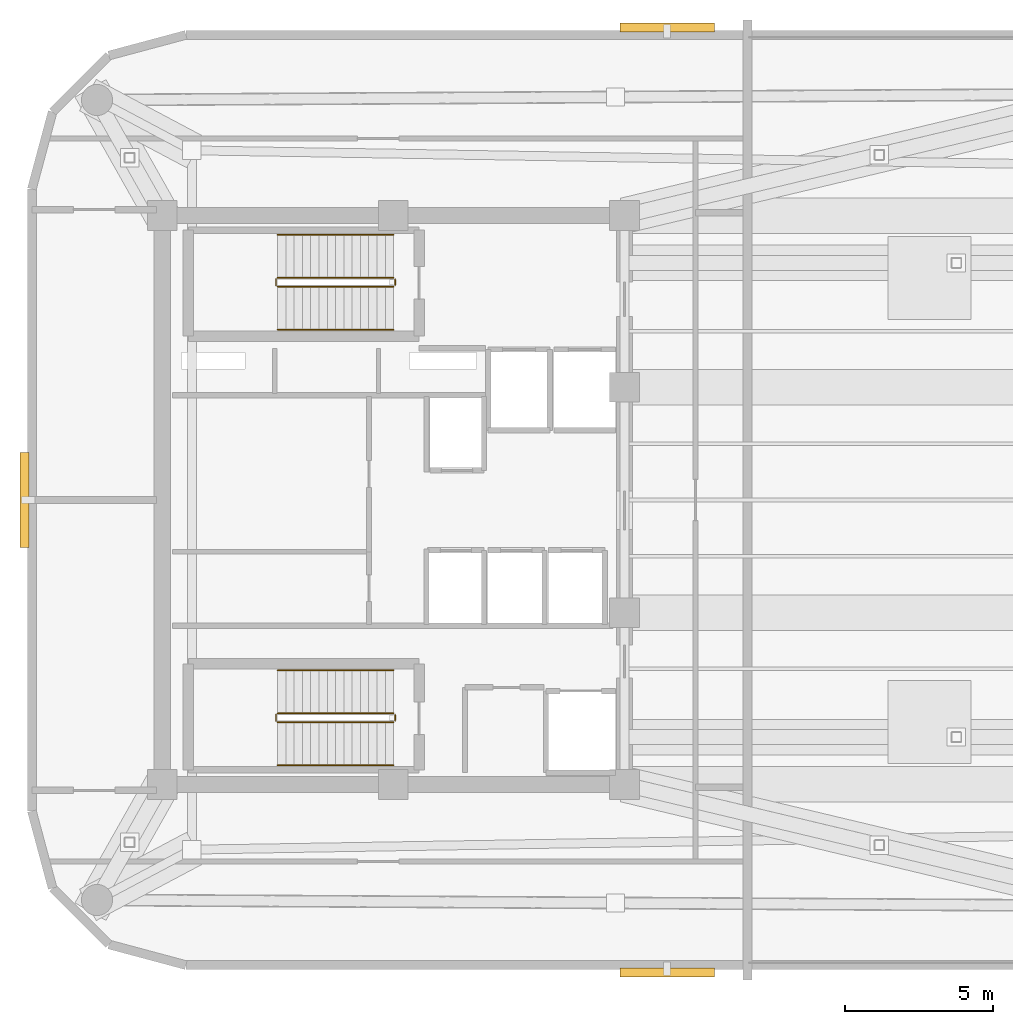
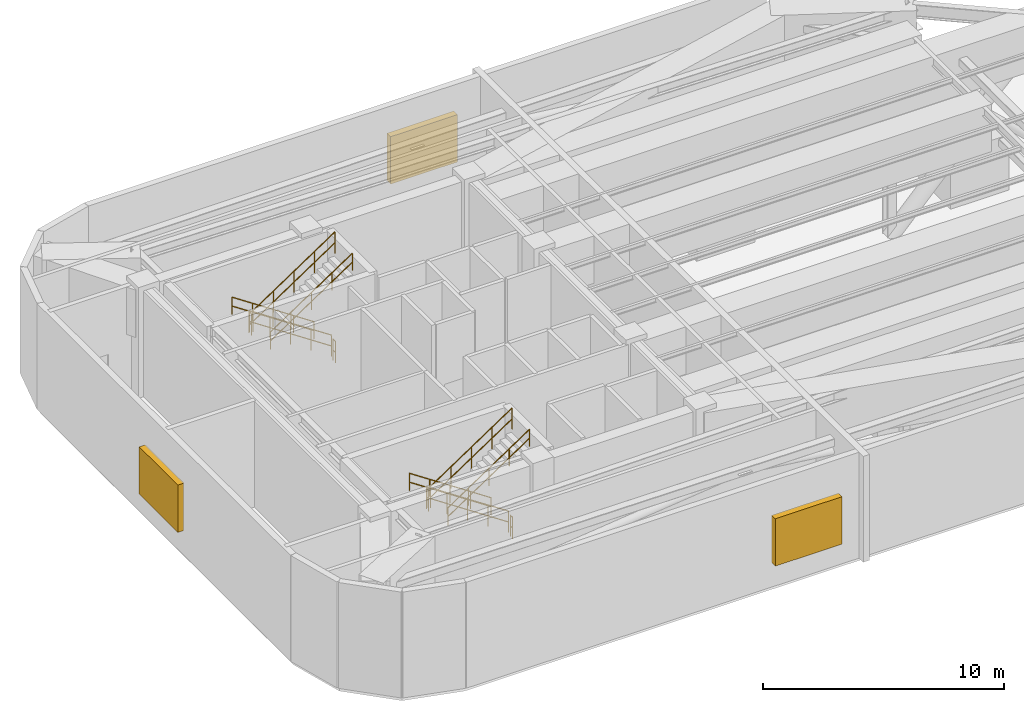
# One storey, part 5 of 6: 12 railings, 3 shading devices.
"""IFC4 building model written with IfcOpenShell, lengths in metres."""

from ifc_helpers import new_model, si_unit, direction, frame, origin, origin_2d, place, context, subcontext, project, spatial, rectangle, circle, extrude, material, type_object, element, save


model = new_model("IFC4")

# Units and contexts
model_context = context("Model", 3, precision=1e-05, world=origin(), true_north=direction((0.0, 1.0)))
body_context = subcontext(model_context, "Body", "Model", "MODEL_VIEW")
ifc_project = project(units=[si_unit("LENGTHUNIT", "METRE"), si_unit("AREAUNIT", "SQUARE_METRE"), si_unit("VOLUMEUNIT", "CUBIC_METRE"), si_unit("PLANEANGLEUNIT", "RADIAN"), si_unit("MASSUNIT", "GRAM", prefix="KILO")], contexts=[model_context])

# Site, building, storey
site_placement = place(None, origin())
site = spatial("IfcSite", under=ifc_project, at=site_placement, CompositionType="ELEMENT")
building_placement = place(site_placement, origin())
building = spatial("IfcBuilding", under=site, at=building_placement, Name="An Khanh Terracotta Commons", CompositionType="ELEMENT")
storey_placement = place(building_placement, frame((0.0, 0.0, 248.10009765625)))
storey = spatial("IfcBuildingStorey", under=building, at=storey_placement, Name="L65", CompositionType="ELEMENT", Elevation=248.10009765625)

# Shading devices
ifc_material_1 = material(Name="Anodised Aluminium 6063-T6", Category="aluminium")
shading_device_type = type_object("IfcShadingDeviceType", Name="Acoustic Plant Weather Louvre", PredefinedType="USERDEFINED", material=ifc_material_1)
for number, where, z_axis, x_axis, name in (
    (1, (38.64208984375, 8.050048828125, 1.199951171875), (0.0, 0.0, 1.0), (1.0, 0.0, 0.0), "L65 Refuge Acoustic Louvre 4"),
    (2, (38.64208984375, 39.949951171875, 1.199951171875), (0.0, 0.0, 1.0), (-1.0, 0.0, 0.0), "L65 Refuge Acoustic Louvre 20"),
    (3, (16.949951171875, 24.0, 1.199951171875), (0.0, 0.0, 1.0), (0.0, -1.0, 0.0), "L65 Refuge Acoustic Louvre 24"),
):
    element("IfcShadingDevice", number, at=place(storey_placement, frame(where, z_axis=z_axis, x_axis=x_axis)), inside=storey, type_object=shading_device_type, Name=name, ObjectType="LOUVRE", PredefinedType="USERDEFINED", context=body_context, shape_type="SweptSolid", body=[
        extrude(rectangle(XDim=3.199951171875, YDim=0.300048828125, at=origin_2d()), origin(), (0.0, 0.0, 1.0), 2.39990234375),
    ])

# Railings
ifc_material_2 = material(Name="Brushed Stainless Steel 316", Category="steel")
railing_type_1 = type_object("IfcRailingType", Name="RAIL-HANDRAIL-900", PredefinedType="HANDRAIL", material=ifc_material_2)
railing_1_placement = place(storey_placement, frame((29.409912109375, 32.949951171875, 0.1865234375)))
element("IfcRailing", 4, at=railing_1_placement, inside=storey, type_object=railing_type_1, Name="L65 ST-01 stair handrail 1", PredefinedType="HANDRAIL", context=body_context, shape_type="SweptSolid", body=[
    extrude(circle(Radius=0.02392578125, at=origin_2d()), frame((0.0, 0.0, 0.8759765625), z_axis=(-0.832050294338, 0.0, 0.554700196225), x_axis=(0.0, -1.0, 0.0)), (0.0, 0.0, 1.0), 4.711181640625),
    extrude(circle(Radius=0.02392578125, at=origin_2d()), frame((0.0, 0.0, 0.42578125), z_axis=(-0.832050294338, 0.0, 0.554700196225), x_axis=(0.0, -1.0, 0.0)), (0.0, 0.0, 1.0), 4.711181640625),
    extrude(circle(Radius=0.02099609375, at=origin_2d()), origin(), (0.0, 0.0, 1.0), 0.851806640625),
    extrude(circle(Radius=0.02099609375, at=origin_2d()), frame((-0.97998046875, 0.0, 0.6533203125)), (0.0, 0.0, 1.0), 0.851806640625),
    extrude(circle(Radius=0.02099609375, at=origin_2d()), frame((-1.9599609375, 0.0, 1.306640625)), (0.0, 0.0, 1.0), 0.851806640625),
    extrude(circle(Radius=0.02099609375, at=origin_2d()), frame((-2.93994140625, 0.0, 1.9599609375)), (0.0, 0.0, 1.0), 0.851806640625),
    extrude(circle(Radius=0.02099609375, at=origin_2d()), frame((-3.919921875, 0.0, 2.61328125)), (0.0, 0.0, 1.0), 0.851806640625),
])
railing_2_placement = place(storey_placement, frame((25.489990234375, 29.75, 2.986572265625)))
element("IfcRailing", 5, at=railing_2_placement, inside=storey, type_object=railing_type_1, Name="L65 ST-01 stair handrail 2", PredefinedType="HANDRAIL", context=body_context, shape_type="SweptSolid", body=[
    extrude(circle(Radius=0.02392578125, at=origin_2d()), frame((0.0, 0.0, 0.8759765625), z_axis=(0.832050294338, 0.0, 0.554700196225), x_axis=(0.0, 1.0, 0.0)), (0.0, 0.0, 1.0), 4.711181640625),
    extrude(circle(Radius=0.02392578125, at=origin_2d()), frame((0.0, 0.0, 0.42578125), z_axis=(0.832050294338, 0.0, 0.554700196225), x_axis=(0.0, 1.0, 0.0)), (0.0, 0.0, 1.0), 4.711181640625),
    extrude(circle(Radius=0.02099609375, at=origin_2d()), origin(), (0.0, 0.0, 1.0), 0.851806640625),
    extrude(circle(Radius=0.02099609375, at=origin_2d()), frame((0.97998046875, 0.0, 0.6533203125)), (0.0, 0.0, 1.0), 0.851806640625),
    extrude(circle(Radius=0.02099609375, at=origin_2d()), frame((1.9599609375, 0.0, 1.306640625)), (0.0, 0.0, 1.0), 0.851806640625),
    extrude(circle(Radius=0.02099609375, at=origin_2d()), frame((2.93994140625, 0.0, 1.9599609375)), (0.0, 0.0, 1.0), 0.851806640625),
    extrude(circle(Radius=0.02099609375, at=origin_2d()), frame((3.919921875, 0.0, 2.61328125)), (0.0, 0.0, 1.0), 0.851806640625),
])
railing_3_placement = place(storey_placement, frame((29.409912109375, 18.25, 0.1865234375)))
element("IfcRailing", 6, at=railing_3_placement, inside=storey, type_object=railing_type_1, Name="L65 ST-02 stair handrail 1", PredefinedType="HANDRAIL", context=body_context, shape_type="SweptSolid", body=[
    extrude(circle(Radius=0.02392578125, at=origin_2d()), frame((0.0, 0.0, 0.8759765625), z_axis=(-0.832050294338, 0.0, 0.554700196225), x_axis=(0.0, -1.0, 0.0)), (0.0, 0.0, 1.0), 4.711181640625),
    extrude(circle(Radius=0.02392578125, at=origin_2d()), frame((0.0, 0.0, 0.42578125), z_axis=(-0.832050294338, 0.0, 0.554700196225), x_axis=(0.0, -1.0, 0.0)), (0.0, 0.0, 1.0), 4.711181640625),
    extrude(circle(Radius=0.02099609375, at=origin_2d()), origin(), (0.0, 0.0, 1.0), 0.851806640625),
    extrude(circle(Radius=0.02099609375, at=origin_2d()), frame((-0.97998046875, 0.0, 0.6533203125)), (0.0, 0.0, 1.0), 0.851806640625),
    extrude(circle(Radius=0.02099609375, at=origin_2d()), frame((-1.9599609375, 0.0, 1.306640625)), (0.0, 0.0, 1.0), 0.851806640625),
    extrude(circle(Radius=0.02099609375, at=origin_2d()), frame((-2.93994140625, 0.0, 1.9599609375)), (0.0, 0.0, 1.0), 0.851806640625),
    extrude(circle(Radius=0.02099609375, at=origin_2d()), frame((-3.919921875, 0.0, 2.61328125)), (0.0, 0.0, 1.0), 0.851806640625),
])
railing_4_placement = place(storey_placement, frame((25.489990234375, 15.050048828125, 2.986572265625)))
element("IfcRailing", 7, at=railing_4_placement, inside=storey, type_object=railing_type_1, Name="L65 ST-02 stair handrail 2", PredefinedType="HANDRAIL", context=body_context, shape_type="SweptSolid", body=[
    extrude(circle(Radius=0.02392578125, at=origin_2d()), frame((0.0, 0.0, 0.8759765625), z_axis=(0.832050294338, 0.0, 0.554700196225), x_axis=(0.0, 1.0, 0.0)), (0.0, 0.0, 1.0), 4.711181640625),
    extrude(circle(Radius=0.02392578125, at=origin_2d()), frame((0.0, 0.0, 0.42578125), z_axis=(0.832050294338, 0.0, 0.554700196225), x_axis=(0.0, 1.0, 0.0)), (0.0, 0.0, 1.0), 4.711181640625),
    extrude(circle(Radius=0.02099609375, at=origin_2d()), origin(), (0.0, 0.0, 1.0), 0.851806640625),
    extrude(circle(Radius=0.02099609375, at=origin_2d()), frame((0.97998046875, 0.0, 0.6533203125)), (0.0, 0.0, 1.0), 0.851806640625),
    extrude(circle(Radius=0.02099609375, at=origin_2d()), frame((1.9599609375, 0.0, 1.306640625)), (0.0, 0.0, 1.0), 0.851806640625),
    extrude(circle(Radius=0.02099609375, at=origin_2d()), frame((2.93994140625, 0.0, 1.9599609375)), (0.0, 0.0, 1.0), 0.851806640625),
    extrude(circle(Radius=0.02099609375, at=origin_2d()), frame((3.919921875, 0.0, 2.61328125)), (0.0, 0.0, 1.0), 0.851806640625),
])
ifc_material_3 = material(Name="Powder-Coated Steel S355J2", Category="steel")
railing_type_2 = type_object("IfcRailingType", Name="RAIL-STAIR-GUARD-1100", PredefinedType="BALUSTRADE", material=ifc_material_3)
railing_5_placement = place(storey_placement, frame((29.409912109375, 31.5, 0.1865234375)))
element("IfcRailing", 8, at=railing_5_placement, inside=storey, type_object=railing_type_2, Name="L65 ST-01 stair guard 1", PredefinedType="BALUSTRADE", context=body_context, shape_type="SweptSolid", body=[
    extrude(circle(Radius=0.02392578125, at=origin_2d()), frame((0.0, 0.0, 1.076171875), z_axis=(-0.832050294338, 0.0, 0.554700196225), x_axis=(0.0, -1.0, 0.0)), (0.0, 0.0, 1.0), 4.711181640625),
    extrude(circle(Radius=0.02392578125, at=origin_2d()), frame((0.0, 0.0, 0.52587890625), z_axis=(-0.832050294338, 0.0, 0.554700196225), x_axis=(0.0, -1.0, 0.0)), (0.0, 0.0, 1.0), 4.711181640625),
    extrude(circle(Radius=0.02099609375, at=origin_2d()), origin(), (0.0, 0.0, 1.0), 1.052001953125),
    extrude(circle(Radius=0.02099609375, at=origin_2d()), frame((-0.97998046875, 0.0, 0.6533203125)), (0.0, 0.0, 1.0), 1.052001953125),
    extrude(circle(Radius=0.02099609375, at=origin_2d()), frame((-1.9599609375, 0.0, 1.306640625)), (0.0, 0.0, 1.0), 1.052001953125),
    extrude(circle(Radius=0.02099609375, at=origin_2d()), frame((-2.93994140625, 0.0, 1.9599609375)), (0.0, 0.0, 1.0), 1.052001953125),
    extrude(circle(Radius=0.02099609375, at=origin_2d()), frame((-3.919921875, 0.0, 2.61328125)), (0.0, 0.0, 1.0), 1.052001953125),
])
railing_6_placement = place(storey_placement, frame((25.43994140625, 31.449951171875, 2.7998046875)))
element("IfcRailing", 9, at=railing_6_placement, inside=storey, type_object=railing_type_2, Name="L65 ST-01 stair guard 2", PredefinedType="BALUSTRADE", context=body_context, shape_type="SweptSolid", body=[
    extrude(circle(Radius=0.02392578125, at=origin_2d()), frame((0.0, 0.0, 1.076171875), z_axis=(0.0, -1.0, 0.0), x_axis=(1.0, 0.0, 0.0)), (0.0, 0.0, 1.0), 0.199951171875),
    extrude(circle(Radius=0.02392578125, at=origin_2d()), frame((0.0, 0.0, 0.52587890625), z_axis=(0.0, -1.0, 0.0), x_axis=(1.0, 0.0, 0.0)), (0.0, 0.0, 1.0), 0.199951171875),
    extrude(circle(Radius=0.02099609375, at=origin_2d()), origin(), (0.0, 0.0, 1.0), 1.052001953125),
    extrude(circle(Radius=0.02099609375, at=origin_2d()), frame((0.0, -0.199951171875, 0.0)), (0.0, 0.0, 1.0), 1.052001953125),
])
railing_7_placement = place(storey_placement, frame((25.489990234375, 31.199951171875, 2.986572265625)))
element("IfcRailing", 10, at=railing_7_placement, inside=storey, type_object=railing_type_2, Name="L65 ST-01 stair guard 3", PredefinedType="BALUSTRADE", context=body_context, shape_type="SweptSolid", body=[
    extrude(circle(Radius=0.02392578125, at=origin_2d()), frame((0.0, 0.0, 1.076171875), z_axis=(0.832050294338, 0.0, 0.554700196225), x_axis=(0.0, 1.0, 0.0)), (0.0, 0.0, 1.0), 4.711181640625),
    extrude(circle(Radius=0.02392578125, at=origin_2d()), frame((0.0, 0.0, 0.52587890625), z_axis=(0.832050294338, 0.0, 0.554700196225), x_axis=(0.0, 1.0, 0.0)), (0.0, 0.0, 1.0), 4.711181640625),
    extrude(circle(Radius=0.02099609375, at=origin_2d()), origin(), (0.0, 0.0, 1.0), 1.052001953125),
    extrude(circle(Radius=0.02099609375, at=origin_2d()), frame((0.97998046875, 0.0, 0.6533203125)), (0.0, 0.0, 1.0), 1.052001953125),
    extrude(circle(Radius=0.02099609375, at=origin_2d()), frame((1.9599609375, 0.0, 1.306640625)), (0.0, 0.0, 1.0), 1.052001953125),
    extrude(circle(Radius=0.02099609375, at=origin_2d()), frame((2.93994140625, 0.0, 1.9599609375)), (0.0, 0.0, 1.0), 1.052001953125),
    extrude(circle(Radius=0.02099609375, at=origin_2d()), frame((3.919921875, 0.0, 2.61328125)), (0.0, 0.0, 1.0), 1.052001953125),
])
railing_8_placement = place(storey_placement, frame((29.4599609375, 31.449951171875, 0.0)))
element("IfcRailing", 11, at=railing_8_placement, inside=storey, type_object=railing_type_2, Name="L65 ST-01 stair guard 4", PredefinedType="BALUSTRADE", context=body_context, shape_type="SweptSolid", body=[
    extrude(circle(Radius=0.02392578125, at=origin_2d()), frame((0.0, 0.0, 1.076171875), z_axis=(0.0, -1.0, 0.0), x_axis=(1.0, 0.0, 0.0)), (0.0, 0.0, 1.0), 0.199951171875),
    extrude(circle(Radius=0.02392578125, at=origin_2d()), frame((0.0, 0.0, 0.52587890625), z_axis=(0.0, -1.0, 0.0), x_axis=(1.0, 0.0, 0.0)), (0.0, 0.0, 1.0), 0.199951171875),
    extrude(circle(Radius=0.02099609375, at=origin_2d()), origin(), (0.0, 0.0, 1.0), 1.052001953125),
    extrude(circle(Radius=0.02099609375, at=origin_2d()), frame((0.0, -0.199951171875, 0.0)), (0.0, 0.0, 1.0), 1.052001953125),
])
railing_9_placement = place(storey_placement, frame((29.409912109375, 16.800048828125, 0.1865234375)))
element("IfcRailing", 12, at=railing_9_placement, inside=storey, type_object=railing_type_2, Name="L65 ST-02 stair guard 1", PredefinedType="BALUSTRADE", context=body_context, shape_type="SweptSolid", body=[
    extrude(circle(Radius=0.02392578125, at=origin_2d()), frame((0.0, 0.0, 1.076171875), z_axis=(-0.832050294338, 0.0, 0.554700196225), x_axis=(0.0, -1.0, 0.0)), (0.0, 0.0, 1.0), 4.711181640625),
    extrude(circle(Radius=0.02392578125, at=origin_2d()), frame((0.0, 0.0, 0.52587890625), z_axis=(-0.832050294338, 0.0, 0.554700196225), x_axis=(0.0, -1.0, 0.0)), (0.0, 0.0, 1.0), 4.711181640625),
    extrude(circle(Radius=0.02099609375, at=origin_2d()), origin(), (0.0, 0.0, 1.0), 1.052001953125),
    extrude(circle(Radius=0.02099609375, at=origin_2d()), frame((-0.97998046875, 0.0, 0.6533203125)), (0.0, 0.0, 1.0), 1.052001953125),
    extrude(circle(Radius=0.02099609375, at=origin_2d()), frame((-1.9599609375, 0.0, 1.306640625)), (0.0, 0.0, 1.0), 1.052001953125),
    extrude(circle(Radius=0.02099609375, at=origin_2d()), frame((-2.93994140625, 0.0, 1.9599609375)), (0.0, 0.0, 1.0), 1.052001953125),
    extrude(circle(Radius=0.02099609375, at=origin_2d()), frame((-3.919921875, 0.0, 2.61328125)), (0.0, 0.0, 1.0), 1.052001953125),
])
railing_10_placement = place(storey_placement, frame((25.43994140625, 16.75, 2.7998046875)))
element("IfcRailing", 13, at=railing_10_placement, inside=storey, type_object=railing_type_2, Name="L65 ST-02 stair guard 2", PredefinedType="BALUSTRADE", context=body_context, shape_type="SweptSolid", body=[
    extrude(circle(Radius=0.02392578125, at=origin_2d()), frame((0.0, 0.0, 1.076171875), z_axis=(0.0, -1.0, 0.0), x_axis=(1.0, 0.0, 0.0)), (0.0, 0.0, 1.0), 0.199951171875),
    extrude(circle(Radius=0.02392578125, at=origin_2d()), frame((0.0, 0.0, 0.52587890625), z_axis=(0.0, -1.0, 0.0), x_axis=(1.0, 0.0, 0.0)), (0.0, 0.0, 1.0), 0.199951171875),
    extrude(circle(Radius=0.02099609375, at=origin_2d()), origin(), (0.0, 0.0, 1.0), 1.052001953125),
    extrude(circle(Radius=0.02099609375, at=origin_2d()), frame((0.0, -0.199951171875, 0.0)), (0.0, 0.0, 1.0), 1.052001953125),
])
railing_11_placement = place(storey_placement, frame((25.489990234375, 16.5, 2.986572265625)))
element("IfcRailing", 14, at=railing_11_placement, inside=storey, type_object=railing_type_2, Name="L65 ST-02 stair guard 3", PredefinedType="BALUSTRADE", context=body_context, shape_type="SweptSolid", body=[
    extrude(circle(Radius=0.02392578125, at=origin_2d()), frame((0.0, 0.0, 1.076171875), z_axis=(0.832050294338, 0.0, 0.554700196225), x_axis=(0.0, 1.0, 0.0)), (0.0, 0.0, 1.0), 4.711181640625),
    extrude(circle(Radius=0.02392578125, at=origin_2d()), frame((0.0, 0.0, 0.52587890625), z_axis=(0.832050294338, 0.0, 0.554700196225), x_axis=(0.0, 1.0, 0.0)), (0.0, 0.0, 1.0), 4.711181640625),
    extrude(circle(Radius=0.02099609375, at=origin_2d()), origin(), (0.0, 0.0, 1.0), 1.052001953125),
    extrude(circle(Radius=0.02099609375, at=origin_2d()), frame((0.97998046875, 0.0, 0.6533203125)), (0.0, 0.0, 1.0), 1.052001953125),
    extrude(circle(Radius=0.02099609375, at=origin_2d()), frame((1.9599609375, 0.0, 1.306640625)), (0.0, 0.0, 1.0), 1.052001953125),
    extrude(circle(Radius=0.02099609375, at=origin_2d()), frame((2.93994140625, 0.0, 1.9599609375)), (0.0, 0.0, 1.0), 1.052001953125),
    extrude(circle(Radius=0.02099609375, at=origin_2d()), frame((3.919921875, 0.0, 2.61328125)), (0.0, 0.0, 1.0), 1.052001953125),
])
railing_12_placement = place(storey_placement, frame((29.4599609375, 16.75, 0.0)))
element("IfcRailing", 15, at=railing_12_placement, inside=storey, type_object=railing_type_2, Name="L65 ST-02 stair guard 4", PredefinedType="BALUSTRADE", context=body_context, shape_type="SweptSolid", body=[
    extrude(circle(Radius=0.02392578125, at=origin_2d()), frame((0.0, 0.0, 1.076171875), z_axis=(0.0, -1.0, 0.0), x_axis=(1.0, 0.0, 0.0)), (0.0, 0.0, 1.0), 0.199951171875),
    extrude(circle(Radius=0.02392578125, at=origin_2d()), frame((0.0, 0.0, 0.52587890625), z_axis=(0.0, -1.0, 0.0), x_axis=(1.0, 0.0, 0.0)), (0.0, 0.0, 1.0), 0.199951171875),
    extrude(circle(Radius=0.02099609375, at=origin_2d()), origin(), (0.0, 0.0, 1.0), 1.052001953125),
    extrude(circle(Radius=0.02099609375, at=origin_2d()), frame((0.0, -0.199951171875, 0.0)), (0.0, 0.0, 1.0), 1.052001953125),
])

save(model, "model.ifc")
